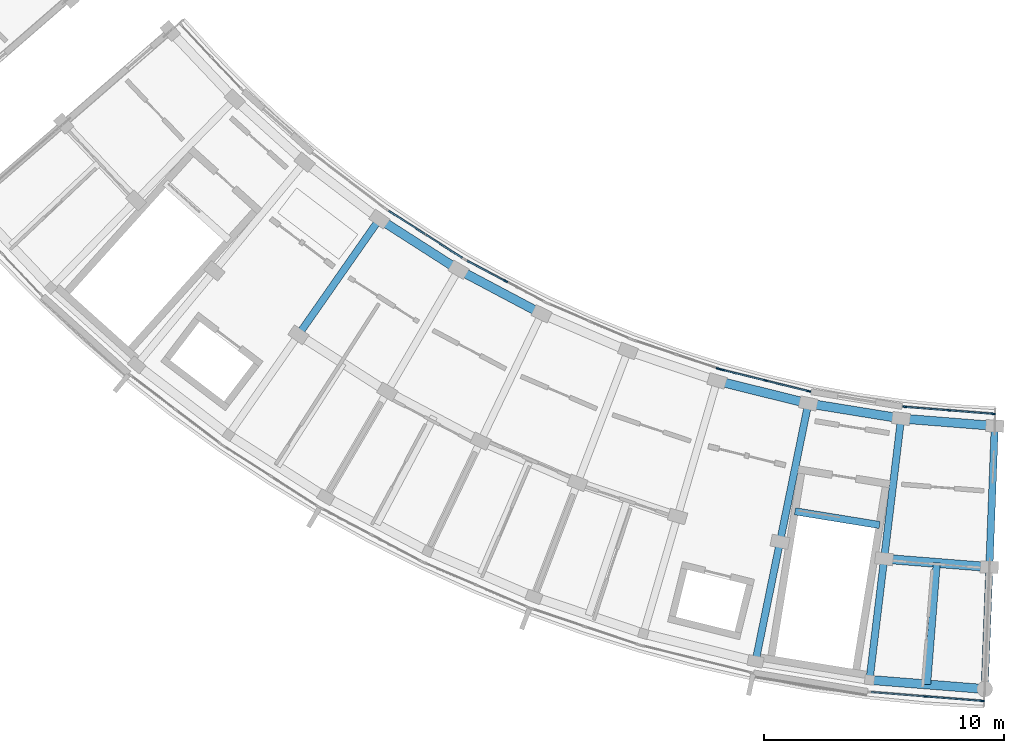
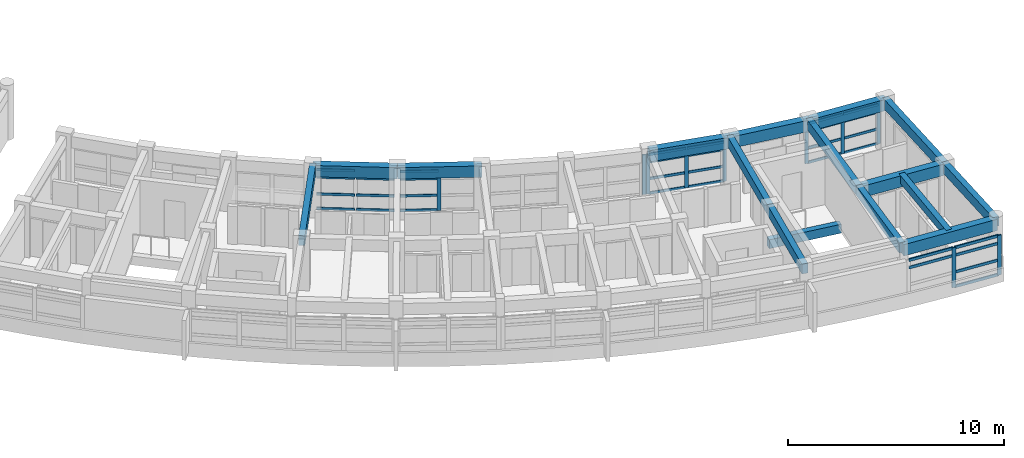
# One storey, part 11 of 38: 43 members, 16 beams, 6 elements without a shape of their own.
"""IFC4 building model written with IfcOpenShell, lengths in metres."""

from ifc_helpers import new_model, si_unit, direction, frame, origin, origin_2d, place, context, subcontext, project, spatial, rectangle, extrude, material, material_profile, profile_set, type_object, element, aggregate, save


model = new_model("IFC4")

# Units and contexts
model_context = context("Model", 3, precision=1e-05, world=origin(), true_north=direction((0.0, 1.0)))
body_context = subcontext(model_context, "Body", "Model", "MODEL_VIEW")
ifc_project = project(units=[si_unit("LENGTHUNIT", "METRE"), si_unit("AREAUNIT", "SQUARE_METRE"), si_unit("VOLUMEUNIT", "CUBIC_METRE"), si_unit("PLANEANGLEUNIT", "RADIAN"), si_unit("MASSUNIT", "GRAM", prefix="KILO")], contexts=[model_context])

# Site, building, storey
site_placement = place(None, origin())
site = spatial("IfcSite", under=ifc_project, at=site_placement, CompositionType="ELEMENT")
building_placement = place(site_placement, origin())
building = spatial("IfcBuilding", under=site, at=building_placement, Name="Zimvara Arc Housing Community", CompositionType="ELEMENT")
storey_placement = place(building_placement, frame((0.0, 0.0, 29.800048828125)))
storey = spatial("IfcBuildingStorey", under=building, at=storey_placement, Name="L09", CompositionType="ELEMENT", Elevation=29.800048828125)

# Beams
ifc_material_1 = material(Name="Concrete C40/50", Category="concrete")
ifc_material_profile_1 = material_profile(ifc_material_1, rectangle(XDim=0.300048828125, YDim=0.449951171875, at=origin_2d()), Name="RC 300x450")
ifc_profile_set_1 = profile_set([ifc_material_profile_1], Name="Concrete C40/50")
beam_type_1 = type_object("IfcBeamType", Name="BM-RC-300x450", PredefinedType="JOIST", material=ifc_profile_set_1)
beam_1_placement = place(storey_placement, frame((121.72509765625, 56.2734375, 2.695068359375), z_axis=(-0.079171686291, -0.99686099537, 0.0), x_axis=(0.99686099537, -0.079171686291, 0.0)))
element("IfcBeam", 1, at=beam_1_placement, inside=storey, type_object=beam_type_1, Name="bm:blkC:L09:joist:b9", PredefinedType="JOIST", context=body_context, shape_type="SweptSolid", body=[
    extrude(rectangle(XDim=0.300048828125, YDim=0.449951171875, at=origin_2d()), origin(), (0.0, 0.0, 1.0), 5.07568359375),
])
ifc_material_2 = material(Name="Concrete C40/50", Category="concrete")
ifc_material_profile_2 = material_profile(ifc_material_2, rectangle(XDim=0.300048828125, YDim=0.5, at=origin_2d()), Name="RC 300x500")
ifc_profile_set_2 = profile_set([ifc_material_profile_2], Name="Concrete C40/50")
beam_type_2 = type_object("IfcBeamType", Name="BM-RC-300x500", PredefinedType="BEAM", material=ifc_profile_set_2)
beam_2_placement = place(storey_placement, frame((115.822265625, 58.423095703125, -0.25), z_axis=(0.987080057935, -0.160227835371, 0.0), x_axis=(0.160227835371, 0.987080057935, 0.0)))
element("IfcBeam", 2, at=beam_2_placement, inside=storey, type_object=beam_type_2, Name="bm:stair_trim:ST-C2:L09:near", PredefinedType="BEAM", context=body_context, shape_type="SweptSolid", body=[
    extrude(rectangle(XDim=0.300048828125, YDim=0.5, at=origin_2d()), origin(), (0.0, 0.0, 1.0), 3.570068359375),
])
ifc_material_3 = material(Name="Concrete C40/50", Category="concrete")
ifc_material_profile_3 = material_profile(ifc_material_3, rectangle(XDim=0.300048828125, YDim=0.550048828125, at=origin_2d()), Name="RC 300x550")
ifc_profile_set_3 = profile_set([ifc_material_profile_3], Name="Concrete C40/50")
beam_type_3 = type_object("IfcBeamType", Name="BM-RC-300x550", PredefinedType="BEAM", material=ifc_profile_set_3)
for number, where, z_axis, x_axis, name in (
    (3, (98.521728515625, 70.587158203125, 2.64501953125), (-0.57300805165, -0.81954973781, 0.0), (0.81954973781, -0.57300805165, 0.0), "bm:blkC:L09:rad:b3:r12"),
    (4, (116.377197265625, 62.912109375, 2.64501953125), (-0.200417973989, -0.979710485655, 0.0), (0.979710485655, -0.200417973989, 0.0), "bm:blkC:L09:rad:b8:r12"),
):
    element("IfcBeam", number, at=place(storey_placement, frame(where, z_axis=z_axis, x_axis=x_axis)), inside=storey, type_object=beam_type_3, Name=name, PredefinedType="BEAM", context=body_context, shape_type="SweptSolid", body=[
        extrude(rectangle(XDim=0.300048828125, YDim=0.550048828125, at=origin_2d()), origin(), (0.0, 0.0, 1.0), 5.880126953125),
    ])
beam_3_placement = place(storey_placement, frame((115.19873046875, 57.1513671875, 2.64501953125), z_axis=(-0.200356397601, -0.979723080233, 0.0), x_axis=(0.979723080233, -0.200356397601, 0.0)))
element("IfcBeam", 5, at=beam_3_placement, inside=storey, type_object=beam_type_3, Name="bm:blkC:L09:rad:b8:r23", PredefinedType="BEAM", context=body_context, shape_type="SweptSolid", body=[
    extrude(rectangle(XDim=0.300048828125, YDim=0.550048828125, at=origin_2d()), origin(), (0.0, 0.0, 1.0), 5.080078125),
])
beam_4_placement = place(storey_placement, frame((120.23974609375, 62.28515625, 2.64501953125), z_axis=(-0.119786997154, -0.992799614884, 0.0), x_axis=(0.992799614884, -0.119786997154, 0.0)))
element("IfcBeam", 6, at=beam_4_placement, inside=storey, type_object=beam_type_3, Name="bm:blkC:L09:rad:b9:r12", PredefinedType="BEAM", context=body_context, shape_type="SweptSolid", body=[
    extrude(rectangle(XDim=0.300048828125, YDim=0.550048828125, at=origin_2d()), origin(), (0.0, 0.0, 1.0), 5.8798828125),
])
beam_5_placement = place(storey_placement, frame((119.535400390625, 56.447509765625, 2.64501953125), z_axis=(-0.119810359757, -0.992796795772, 0.0), x_axis=(0.992796795772, -0.119810359757, 0.0)))
element("IfcBeam", 7, at=beam_5_placement, inside=storey, type_object=beam_type_3, Name="bm:blkC:L09:rad:b9:r23", PredefinedType="BEAM", context=body_context, shape_type="SweptSolid", body=[
    extrude(rectangle(XDim=0.300048828125, YDim=0.550048828125, at=origin_2d()), origin(), (0.0, 0.0, 1.0), 5.080078125),
])
beam_6_placement = place(storey_placement, frame((124.140380859375, 61.975341796875, 2.64501953125), z_axis=(-0.038364555613, -0.999263809448, 0.0), x_axis=(0.999263809448, -0.038364555613, 0.0)))
element("IfcBeam", 8, at=beam_6_placement, inside=storey, type_object=beam_type_3, Name="bm:blkC:L09:rad:b10:r12", PredefinedType="BEAM", context=body_context, shape_type="SweptSolid", body=[
    extrude(rectangle(XDim=0.300048828125, YDim=0.550048828125, at=origin_2d()), origin(), (0.0, 0.0, 1.0), 5.880126953125),
])
beam_7_placement = place(storey_placement, frame((123.914794921875, 56.099609375, 2.64501953125), z_axis=(-0.038399898954, -0.999262451892, 0.0), x_axis=(0.999262451892, -0.038399898954, 0.0)))
element("IfcBeam", 9, at=beam_7_placement, inside=storey, type_object=beam_type_3, Name="bm:blkC:L09:rad:b10:r23", PredefinedType="BEAM", context=body_context, shape_type="SweptSolid", body=[
    extrude(rectangle(XDim=0.300048828125, YDim=0.550048828125, at=origin_2d()), origin(), (0.0, 0.0, 1.0), 5.079833984375),
])
ifc_material_4 = material(Name="Concrete C40/50", Category="concrete")
ifc_material_profile_4 = material_profile(ifc_material_4, rectangle(XDim=0.3798828125, YDim=0.639892578125, at=origin_2d()), Name="RC 380x640")
ifc_profile_set_4 = profile_set([ifc_material_profile_4], Name="Concrete C40/50")
beam_type_4 = type_object("IfcBeamType", Name="BM-RC-380x640", PredefinedType="BEAM", material=ifc_profile_set_4)
for number, where, z_axis, x_axis, name in (
    (10, (98.521728515625, 70.587158203125, 2.599853515625), (0.842224940184, -0.53912628403, 0.0), (0.53912628403, 0.842224940184, 0.0), "bm:blkC:L09:chord:r1:b3"),
    (11, (101.8173828125, 68.4775390625, 2.599853515625), (0.883464449706, -0.468498202884, 0.0), (0.468498202884, 0.883464449706, 0.0), "bm:blkC:L09:chord:r1:b4"),
    (12, (112.57861328125, 63.85205078125, 2.599853515625), (0.970723220586, -0.240200809773, 0.0), (0.240200809773, 0.970723220586, 0.0), "bm:blkC:L09:chord:r1:b7"),
    (13, (116.377197265625, 62.912109375, 2.599853515625), (0.987081487371, -0.160219029111, 0.0), (0.160219029111, 0.987081487371, 0.0), "bm:blkC:L09:chord:r1:b8"),
):
    element("IfcBeam", number, at=place(storey_placement, frame(where, z_axis=z_axis, x_axis=x_axis)), inside=storey, type_object=beam_type_4, Name=name, PredefinedType="BEAM", context=body_context, shape_type="SweptSolid", body=[
        extrude(rectangle(XDim=0.3798828125, YDim=0.639892578125, at=origin_2d()), origin(), (0.0, 0.0, 1.0), 3.9130859375),
    ])
beam_8_placement = place(storey_placement, frame((120.23974609375, 62.28515625, 2.599853515625), z_axis=(0.99686054795, -0.079177319606, 0.0), x_axis=(0.079177319606, 0.99686054795, 0.0)))
element("IfcBeam", 14, at=beam_8_placement, inside=storey, type_object=beam_type_4, Name="bm:blkC:L09:chord:r1:b9", PredefinedType="BEAM", context=body_context, shape_type="SweptSolid", body=[
    extrude(rectangle(XDim=0.3798828125, YDim=0.639892578125, at=origin_2d()), origin(), (0.0, 0.0, 1.0), 3.912841796875),
])
beam_9_placement = place(storey_placement, frame((119.535400390625, 56.447509765625, 2.599853515625), z_axis=(0.996859476344, -0.079190810224, 0.0), x_axis=(0.079190810224, 0.996859476344, 0.0)))
element("IfcBeam", 15, at=beam_9_placement, inside=storey, type_object=beam_type_4, Name="bm:blkC:L09:chord:r2:b9", PredefinedType="BEAM", context=body_context, shape_type="SweptSolid", body=[
    extrude(rectangle(XDim=0.3798828125, YDim=0.639892578125, at=origin_2d()), origin(), (0.0, 0.0, 1.0), 4.393310546875),
])
beam_10_placement = place(storey_placement, frame((118.9267578125, 51.404052734375, 2.599853515625), z_axis=(0.996861768207, -0.0791619548, 0.0), x_axis=(0.0791619548, 0.996861768207, 0.0)))
element("IfcBeam", 16, at=beam_10_placement, inside=storey, type_object=beam_type_4, Name="bm:blkC:L09:chord:r3:b9", PredefinedType="BEAM", context=body_context, shape_type="SweptSolid", body=[
    extrude(rectangle(XDim=0.3798828125, YDim=0.639892578125, at=origin_2d()), origin(), (0.0, 0.0, 1.0), 4.80810546875),
])

# Curtain wall, member
ifc_material_5 = material(Name="Anodised Aluminium AW-6063", Category="aluminium")
curtain_wall_type_1 = type_object("IfcCurtainWallType", Name="CW-SYS-04", PredefinedType="USERDEFINED", material=ifc_material_5)
curtain_wall_1_placement = place(storey_placement, origin())
curtain_wall_1 = element("IfcCurtainWall", 17, at=curtain_wall_1_placement, inside=storey, type_object=curtain_wall_type_1, Name="cw:blkC:L09:in:b4", ObjectType="CURTAIN WALL", PredefinedType="USERDEFINED")
ifc_material_6 = material(Name="Anodised Aluminium AW-6063", Category="aluminium")
ifc_material_profile_5 = material_profile(ifc_material_6, rectangle(XDim=0.06494140625, YDim=0.179931640625, at=origin_2d()), Name="ALU 65x180")
ifc_profile_set_5 = profile_set([ifc_material_profile_5], Name="Anodised Aluminium AW-6063")
member_type_1 = type_object("IfcMemberType", Name="CWM-65x150", PredefinedType="MULLION", material=ifc_profile_set_5)
member_1_placement = place(storey_placement, frame((103.780029296875, 68.002197265625, 0.0), z_axis=(0.0, 0.0, 1.0), x_axis=(0.468547099195, 0.883438518424, 0.0)))
member_1 = element("IfcMember", 18, at=member_1_placement, type_object=member_type_1, Name="CW04 mullion 2", PredefinedType="MULLION", context=body_context, shape_type="SweptSolid", body=[
    extrude(rectangle(XDim=0.06494140625, YDim=0.179931640625, at=origin_2d()), origin(), (0.0, 0.0, 1.0), 2.25),
])

ifc_material_7 = material(Name="Anodised Aluminium AW-6063", Category="aluminium")
curtain_wall_type_2 = type_object("IfcCurtainWallType", Name="CW-SYS-08", PredefinedType="USERDEFINED", material=ifc_material_7)
curtain_wall_2_placement = place(storey_placement, origin())
curtain_wall_2 = element("IfcCurtainWall", 19, at=curtain_wall_2_placement, inside=storey, type_object=curtain_wall_type_2, Name="cw:blkC:L09:in:b6", ObjectType="CURTAIN WALL", PredefinedType="USERDEFINED")
member_2_placement = place(storey_placement, frame((112.630859375, 64.361572265625, 0.0), z_axis=(0.0, 0.0, 1.0), x_axis=(0.318626909491, 0.94788021002, 0.0)))
member_2 = element("IfcMember", 20, at=member_2_placement, type_object=member_type_1, Name="CW08 mullion 3", PredefinedType="MULLION", context=body_context, shape_type="SweptSolid", body=[
    extrude(rectangle(XDim=0.06494140625, YDim=0.179931640625, at=origin_2d()), origin(), (0.0, 0.0, 1.0), 2.25),
])
aggregate(curtain_wall_2, [member_2])

# Curtain wall, members
ifc_material_8 = material(Name="Anodised Aluminium AW-6063", Category="aluminium")
curtain_wall_type_3 = type_object("IfcCurtainWallType", Name="CW-SYS-02", PredefinedType="USERDEFINED", material=ifc_material_8)
curtain_wall_3_placement = place(storey_placement, origin())
curtain_wall_3 = element("IfcCurtainWall", 21, at=curtain_wall_3_placement, inside=storey, type_object=curtain_wall_type_3, Name="cw:blkC:L09:in:b7", ObjectType="CURTAIN WALL", PredefinedType="USERDEFINED")
member_3_placement = place(storey_placement, frame((112.808349609375, 64.309814453125, 0.0), z_axis=(0.0, 0.0, 1.0), x_axis=(0.240229186313, 0.970716198507, 0.0)))
member_3 = element("IfcMember", 22, at=member_3_placement, type_object=member_type_1, Name="CW02 mullion 1", PredefinedType="MULLION", context=body_context, shape_type="SweptSolid", body=[
    extrude(rectangle(XDim=0.06494140625, YDim=0.179931640625, at=origin_2d()), origin(), (0.0, 0.0, 1.0), 2.25),
])
member_4_placement = place(storey_placement, frame((114.597900390625, 63.866943359375, 0.0), z_axis=(0.0, 0.0, 1.0), x_axis=(0.240229186313, 0.970716198507, 0.0)))
member_4 = element("IfcMember", 23, at=member_4_placement, type_object=member_type_1, Name="CW02 mullion 2", PredefinedType="MULLION", context=body_context, shape_type="SweptSolid", body=[
    extrude(rectangle(XDim=0.06494140625, YDim=0.179931640625, at=origin_2d()), origin(), (0.0, 0.0, 1.0), 2.25),
])
member_5_placement = place(storey_placement, frame((116.387451171875, 63.424072265625, 0.0), z_axis=(0.0, 0.0, 1.0), x_axis=(0.240229186313, 0.970716198507, 0.0)))
member_5 = element("IfcMember", 24, at=member_5_placement, type_object=member_type_1, Name="CW02 mullion 3", PredefinedType="MULLION", context=body_context, shape_type="SweptSolid", body=[
    extrude(rectangle(XDim=0.06494140625, YDim=0.179931640625, at=origin_2d()), origin(), (0.0, 0.0, 1.0), 2.25),
])

curtain_wall_4_placement = place(storey_placement, origin())
curtain_wall_4 = element("IfcCurtainWall", 25, at=curtain_wall_4_placement, inside=storey, type_object=curtain_wall_type_1, Name="cw:blkC:L09:in:b9", ObjectType="CURTAIN WALL", PredefinedType="USERDEFINED")
member_6_placement = place(storey_placement, frame((120.391845703125, 62.774169921875, 0.0), z_axis=(0.0, 0.0, 1.0), x_axis=(0.079155101851, 0.996862312384, 0.0)))
member_6 = element("IfcMember", 26, at=member_6_placement, type_object=member_type_1, Name="CW04 mullion 1", PredefinedType="MULLION", context=body_context, shape_type="SweptSolid", body=[
    extrude(rectangle(XDim=0.06494140625, YDim=0.179931640625, at=origin_2d()), origin(), (0.0, 0.0, 1.0), 2.25),
])
member_7_placement = place(storey_placement, frame((122.2294921875, 62.628173828125, 0.0), z_axis=(0.0, 0.0, 1.0), x_axis=(0.079155101851, 0.996862312384, 0.0)))
member_7 = element("IfcMember", 27, at=member_7_placement, type_object=member_type_1, Name="CW04 mullion 2", PredefinedType="MULLION", context=body_context, shape_type="SweptSolid", body=[
    extrude(rectangle(XDim=0.06494140625, YDim=0.179931640625, at=origin_2d()), origin(), (0.0, 0.0, 1.0), 2.25),
])
member_8_placement = place(storey_placement, frame((124.0673828125, 62.482177734375, 0.0), z_axis=(0.0, 0.0, 1.0), x_axis=(0.079155101851, 0.996862312384, 0.0)))
member_8 = element("IfcMember", 28, at=member_8_placement, type_object=member_type_1, Name="CW04 mullion 3", PredefinedType="MULLION", context=body_context, shape_type="SweptSolid", body=[
    extrude(rectangle(XDim=0.06494140625, YDim=0.179931640625, at=origin_2d()), origin(), (0.0, 0.0, 1.0), 2.25),
])

ifc_material_9 = material(Name="Anodised Aluminium AW-6063", Category="aluminium")
curtain_wall_type_4 = type_object("IfcCurtainWallType", Name="CW-SYS-03", PredefinedType="USERDEFINED", material=ifc_material_9)
curtain_wall_5_placement = place(storey_placement, origin())
curtain_wall_5 = element("IfcCurtainWall", 29, at=curtain_wall_5_placement, inside=storey, type_object=curtain_wall_type_4, Name="cw:blkC:L09:out:b9", ObjectType="CURTAIN WALL", PredefinedType="USERDEFINED")
ifc_material_10 = material(Name="Anodised Aluminium AW-6063", Category="aluminium")
ifc_material_profile_6 = material_profile(ifc_material_10, rectangle(XDim=0.06494140625, YDim=0.195068359375, at=origin_2d()), Name="ALU 65x195")
ifc_profile_set_6 = profile_set([ifc_material_profile_6], Name="Anodised Aluminium AW-6063")
member_type_2 = type_object("IfcMemberType", Name="CWM-65x180", PredefinedType="MULLION", material=ifc_profile_set_6)
member_9_placement = place(storey_placement, frame((121.28369140625, 50.715576171875, 0.0), z_axis=(0.0, 0.0, 1.0), x_axis=(0.079153759607, 0.996862418963, 0.0)))
member_9 = element("IfcMember", 30, at=member_9_placement, type_object=member_type_2, Name="CW03 mullion 2", PredefinedType="MULLION", context=body_context, shape_type="SweptSolid", body=[
    extrude(rectangle(XDim=0.06494140625, YDim=0.195068359375, at=origin_2d()), origin(), (0.0, 0.0, 1.0), 2.25),
])
member_10_placement = place(storey_placement, frame((123.6083984375, 50.531005859375, 0.0), z_axis=(0.0, 0.0, 1.0), x_axis=(0.079153759607, 0.996862418963, 0.0)))
member_10 = element("IfcMember", 31, at=member_10_placement, type_object=member_type_2, Name="CW03 mullion 3", PredefinedType="MULLION", context=body_context, shape_type="SweptSolid", body=[
    extrude(rectangle(XDim=0.06494140625, YDim=0.195068359375, at=origin_2d()), origin(), (0.0, 0.0, 1.0), 2.25),
])

curtain_wall_6_placement = place(storey_placement, origin())
curtain_wall_6 = element("IfcCurtainWall", 32, at=curtain_wall_6_placement, inside=storey, type_object=curtain_wall_type_3, Name="cw:blkC:L09:in:b3", ObjectType="CURTAIN WALL", PredefinedType="USERDEFINED")
ifc_material_11 = material(Name="Anodised Aluminium AW-6063", Category="aluminium")
ifc_material_profile_7 = material_profile(ifc_material_11, rectangle(XDim=0.06494140625, YDim=0.139892578125, at=origin_2d()), Name="ALU 65x140")
ifc_profile_set_7 = profile_set([ifc_material_profile_7], Name="Anodised Aluminium AW-6063")
member_type_3 = type_object("IfcMemberType", Name="CWT-65x120", PredefinedType="USERDEFINED", material=ifc_profile_set_7)
member_11_placement = place(storey_placement, frame((98.913330078125, 70.929443359375, 0.032470703125), z_axis=(0.842273893594, -0.539049801197, 0.0), x_axis=(0.539049801197, 0.842273893594, 0.0)))
member_11 = element("IfcMember", 33, at=member_11_placement, type_object=member_type_3, Name="CW02 transom 1.1", ObjectType="TRANSOM", PredefinedType="USERDEFINED", context=body_context, shape_type="SweptSolid", body=[
    extrude(rectangle(XDim=0.06494140625, YDim=0.139892578125, at=origin_2d()), origin(), (0.0, 0.0, 1.0), 1.778564453125),
])
member_12_placement = place(storey_placement, frame((98.913330078125, 70.929443359375, 0.849853515625), z_axis=(0.842273893594, -0.539049801197, 0.0), x_axis=(0.539049801197, 0.842273893594, 0.0)))
member_12 = element("IfcMember", 34, at=member_12_placement, type_object=member_type_3, Name="CW02 transom 1.2", ObjectType="TRANSOM", PredefinedType="USERDEFINED", context=body_context, shape_type="SweptSolid", body=[
    extrude(rectangle(XDim=0.06494140625, YDim=0.139892578125, at=origin_2d()), origin(), (0.0, 0.0, 1.0), 1.778564453125),
])
member_13_placement = place(storey_placement, frame((98.913330078125, 70.929443359375, 1.800048828125), z_axis=(0.842273893594, -0.539049801197, 0.0), x_axis=(0.539049801197, 0.842273893594, 0.0)))
member_13 = element("IfcMember", 35, at=member_13_placement, type_object=member_type_3, Name="CW02 transom 1.3", ObjectType="TRANSOM", PredefinedType="USERDEFINED", context=body_context, shape_type="SweptSolid", body=[
    extrude(rectangle(XDim=0.06494140625, YDim=0.139892578125, at=origin_2d()), origin(), (0.0, 0.0, 1.0), 1.778564453125),
])
member_14_placement = place(storey_placement, frame((98.913330078125, 70.929443359375, 2.217529296875), z_axis=(0.842273893594, -0.539049801197, 0.0), x_axis=(0.539049801197, 0.842273893594, 0.0)))
member_14 = element("IfcMember", 36, at=member_14_placement, type_object=member_type_3, Name="CW02 transom 1.4", ObjectType="TRANSOM", PredefinedType="USERDEFINED", context=body_context, shape_type="SweptSolid", body=[
    extrude(rectangle(XDim=0.06494140625, YDim=0.139892578125, at=origin_2d()), origin(), (0.0, 0.0, 1.0), 1.778564453125),
])
member_15_placement = place(storey_placement, frame((100.46630859375, 69.935546875, 0.032470703125), z_axis=(0.842273893594, -0.539049801197, 0.0), x_axis=(0.539049801197, 0.842273893594, 0.0)))
member_15 = element("IfcMember", 37, at=member_15_placement, type_object=member_type_3, Name="CW02 transom 2.1", ObjectType="TRANSOM", PredefinedType="USERDEFINED", context=body_context, shape_type="SweptSolid", body=[
    extrude(rectangle(XDim=0.06494140625, YDim=0.139892578125, at=origin_2d()), origin(), (0.0, 0.0, 1.0), 1.778564453125),
])
member_16_placement = place(storey_placement, frame((100.46630859375, 69.935546875, 0.849853515625), z_axis=(0.842273893594, -0.539049801197, 0.0), x_axis=(0.539049801197, 0.842273893594, 0.0)))
member_16 = element("IfcMember", 38, at=member_16_placement, type_object=member_type_3, Name="CW02 transom 2.2", ObjectType="TRANSOM", PredefinedType="USERDEFINED", context=body_context, shape_type="SweptSolid", body=[
    extrude(rectangle(XDim=0.06494140625, YDim=0.139892578125, at=origin_2d()), origin(), (0.0, 0.0, 1.0), 1.778564453125),
])
member_17_placement = place(storey_placement, frame((100.46630859375, 69.935546875, 1.800048828125), z_axis=(0.842273893594, -0.539049801197, 0.0), x_axis=(0.539049801197, 0.842273893594, 0.0)))
member_17 = element("IfcMember", 39, at=member_17_placement, type_object=member_type_3, Name="CW02 transom 2.3", ObjectType="TRANSOM", PredefinedType="USERDEFINED", context=body_context, shape_type="SweptSolid", body=[
    extrude(rectangle(XDim=0.06494140625, YDim=0.139892578125, at=origin_2d()), origin(), (0.0, 0.0, 1.0), 1.778564453125),
])
aggregate(curtain_wall_6, [member_11, member_12, member_13, member_14, member_15, member_16, member_17])

# Member
member_18_placement = place(storey_placement, frame((102.179931640625, 68.850830078125, 0.032470703125), z_axis=(0.883463823767, -0.468499383238, 0.0), x_axis=(0.468499383238, 0.883463823767, 0.0)))
member_18 = element("IfcMember", 40, at=member_18_placement, type_object=member_type_3, Name="CW04 transom 1.1", ObjectType="TRANSOM", PredefinedType="USERDEFINED", context=body_context, shape_type="SweptSolid", body=[
    extrude(rectangle(XDim=0.06494140625, YDim=0.139892578125, at=origin_2d()), origin(), (0.0, 0.0, 1.0), 1.778564453125),
])

member_19_placement = place(storey_placement, frame((102.179931640625, 68.850830078125, 0.849853515625), z_axis=(0.883463823767, -0.468499383238, 0.0), x_axis=(0.468499383238, 0.883463823767, 0.0)))
member_19 = element("IfcMember", 41, at=member_19_placement, type_object=member_type_3, Name="CW04 transom 1.2", ObjectType="TRANSOM", PredefinedType="USERDEFINED", context=body_context, shape_type="SweptSolid", body=[
    extrude(rectangle(XDim=0.06494140625, YDim=0.139892578125, at=origin_2d()), origin(), (0.0, 0.0, 1.0), 1.778564453125),
])

member_20_placement = place(storey_placement, frame((102.179931640625, 68.850830078125, 1.800048828125), z_axis=(0.883463823767, -0.468499383238, 0.0), x_axis=(0.468499383238, 0.883463823767, 0.0)))
member_20 = element("IfcMember", 42, at=member_20_placement, type_object=member_type_3, Name="CW04 transom 1.3", ObjectType="TRANSOM", PredefinedType="USERDEFINED", context=body_context, shape_type="SweptSolid", body=[
    extrude(rectangle(XDim=0.06494140625, YDim=0.139892578125, at=origin_2d()), origin(), (0.0, 0.0, 1.0), 1.778564453125),
])

member_21_placement = place(storey_placement, frame((102.179931640625, 68.850830078125, 2.217529296875), z_axis=(0.883463823767, -0.468499383238, 0.0), x_axis=(0.468499383238, 0.883463823767, 0.0)))
member_21 = element("IfcMember", 43, at=member_21_placement, type_object=member_type_3, Name="CW04 transom 1.4", ObjectType="TRANSOM", PredefinedType="USERDEFINED", context=body_context, shape_type="SweptSolid", body=[
    extrude(rectangle(XDim=0.06494140625, YDim=0.139892578125, at=origin_2d()), origin(), (0.0, 0.0, 1.0), 1.778564453125),
])

aggregate(curtain_wall_1, [member_1, member_18, member_19, member_20, member_21])

member_22_placement = place(storey_placement, frame((112.83984375, 64.302001953125, 0.032470703125), z_axis=(0.970721060666, -0.240209538485, 0.0), x_axis=(0.240209538485, 0.970721060666, 0.0)))
member_22 = element("IfcMember", 44, at=member_22_placement, type_object=member_type_3, Name="CW02 transom 1.1", ObjectType="TRANSOM", PredefinedType="USERDEFINED", context=body_context, shape_type="SweptSolid", body=[
    extrude(rectangle(XDim=0.06494140625, YDim=0.139892578125, at=origin_2d()), origin(), (0.0, 0.0, 1.0), 1.778564453125),
])

member_23_placement = place(storey_placement, frame((112.83984375, 64.302001953125, 0.849853515625), z_axis=(0.970721060666, -0.240209538485, 0.0), x_axis=(0.240209538485, 0.970721060666, 0.0)))
member_23 = element("IfcMember", 45, at=member_23_placement, type_object=member_type_3, Name="CW02 transom 1.2", ObjectType="TRANSOM", PredefinedType="USERDEFINED", context=body_context, shape_type="SweptSolid", body=[
    extrude(rectangle(XDim=0.06494140625, YDim=0.139892578125, at=origin_2d()), origin(), (0.0, 0.0, 1.0), 1.778564453125),
])

member_24_placement = place(storey_placement, frame((112.83984375, 64.302001953125, 1.800048828125), z_axis=(0.970721060666, -0.240209538485, 0.0), x_axis=(0.240209538485, 0.970721060666, 0.0)))
member_24 = element("IfcMember", 46, at=member_24_placement, type_object=member_type_3, Name="CW02 transom 1.3", ObjectType="TRANSOM", PredefinedType="USERDEFINED", context=body_context, shape_type="SweptSolid", body=[
    extrude(rectangle(XDim=0.06494140625, YDim=0.139892578125, at=origin_2d()), origin(), (0.0, 0.0, 1.0), 1.778564453125),
])

member_25_placement = place(storey_placement, frame((112.83984375, 64.302001953125, 2.217529296875), z_axis=(0.970721060666, -0.240209538485, 0.0), x_axis=(0.240209538485, 0.970721060666, 0.0)))
member_25 = element("IfcMember", 47, at=member_25_placement, type_object=member_type_3, Name="CW02 transom 1.4", ObjectType="TRANSOM", PredefinedType="USERDEFINED", context=body_context, shape_type="SweptSolid", body=[
    extrude(rectangle(XDim=0.06494140625, YDim=0.139892578125, at=origin_2d()), origin(), (0.0, 0.0, 1.0), 1.778564453125),
])

member_26_placement = place(storey_placement, frame((114.62939453125, 63.859130859375, 0.032470703125), z_axis=(0.970721060666, -0.240209538485, 0.0), x_axis=(0.240209538485, 0.970721060666, 0.0)))
member_26 = element("IfcMember", 48, at=member_26_placement, type_object=member_type_3, Name="CW02 transom 2.1", ObjectType="TRANSOM", PredefinedType="USERDEFINED", context=body_context, shape_type="SweptSolid", body=[
    extrude(rectangle(XDim=0.06494140625, YDim=0.139892578125, at=origin_2d()), origin(), (0.0, 0.0, 1.0), 1.778564453125),
])

member_27_placement = place(storey_placement, frame((114.62939453125, 63.859130859375, 0.849853515625), z_axis=(0.970721060666, -0.240209538485, 0.0), x_axis=(0.240209538485, 0.970721060666, 0.0)))
member_27 = element("IfcMember", 49, at=member_27_placement, type_object=member_type_3, Name="CW02 transom 2.2", ObjectType="TRANSOM", PredefinedType="USERDEFINED", context=body_context, shape_type="SweptSolid", body=[
    extrude(rectangle(XDim=0.06494140625, YDim=0.139892578125, at=origin_2d()), origin(), (0.0, 0.0, 1.0), 1.778564453125),
])

member_28_placement = place(storey_placement, frame((114.62939453125, 63.859130859375, 1.800048828125), z_axis=(0.970721060666, -0.240209538485, 0.0), x_axis=(0.240209538485, 0.970721060666, 0.0)))
member_28 = element("IfcMember", 50, at=member_28_placement, type_object=member_type_3, Name="CW02 transom 2.3", ObjectType="TRANSOM", PredefinedType="USERDEFINED", context=body_context, shape_type="SweptSolid", body=[
    extrude(rectangle(XDim=0.06494140625, YDim=0.139892578125, at=origin_2d()), origin(), (0.0, 0.0, 1.0), 1.778564453125),
])

member_29_placement = place(storey_placement, frame((114.62939453125, 63.859130859375, 2.217529296875), z_axis=(0.970721060666, -0.240209538485, 0.0), x_axis=(0.240209538485, 0.970721060666, 0.0)))
member_29 = element("IfcMember", 51, at=member_29_placement, type_object=member_type_3, Name="CW02 transom 2.4", ObjectType="TRANSOM", PredefinedType="USERDEFINED", context=body_context, shape_type="SweptSolid", body=[
    extrude(rectangle(XDim=0.06494140625, YDim=0.139892578125, at=origin_2d()), origin(), (0.0, 0.0, 1.0), 1.778564453125),
])

aggregate(curtain_wall_3, [member_3, member_4, member_5, member_22, member_23, member_24, member_25, member_26, member_27, member_28, member_29])

member_30_placement = place(storey_placement, frame((120.424072265625, 62.771484375, 0.032470703125), z_axis=(0.996870030117, -0.079057846255, 0.0), x_axis=(0.079057846255, 0.996870030117, 0.0)))
member_30 = element("IfcMember", 52, at=member_30_placement, type_object=member_type_3, Name="CW04 transom 1.1", ObjectType="TRANSOM", PredefinedType="USERDEFINED", context=body_context, shape_type="SweptSolid", body=[
    extrude(rectangle(XDim=0.06494140625, YDim=0.139892578125, at=origin_2d()), origin(), (0.0, 0.0, 1.0), 1.77880859375),
])

member_31_placement = place(storey_placement, frame((120.424072265625, 62.771484375, 0.849853515625), z_axis=(0.996870030117, -0.079057846255, 0.0), x_axis=(0.079057846255, 0.996870030117, 0.0)))
member_31 = element("IfcMember", 53, at=member_31_placement, type_object=member_type_3, Name="CW04 transom 1.2", ObjectType="TRANSOM", PredefinedType="USERDEFINED", context=body_context, shape_type="SweptSolid", body=[
    extrude(rectangle(XDim=0.06494140625, YDim=0.139892578125, at=origin_2d()), origin(), (0.0, 0.0, 1.0), 1.77880859375),
])

member_32_placement = place(storey_placement, frame((120.424072265625, 62.771484375, 1.800048828125), z_axis=(0.996870030117, -0.079057846255, 0.0), x_axis=(0.079057846255, 0.996870030117, 0.0)))
member_32 = element("IfcMember", 54, at=member_32_placement, type_object=member_type_3, Name="CW04 transom 1.3", ObjectType="TRANSOM", PredefinedType="USERDEFINED", context=body_context, shape_type="SweptSolid", body=[
    extrude(rectangle(XDim=0.06494140625, YDim=0.139892578125, at=origin_2d()), origin(), (0.0, 0.0, 1.0), 1.77880859375),
])

member_33_placement = place(storey_placement, frame((120.424072265625, 62.771484375, 2.217529296875), z_axis=(0.996870030117, -0.079057846255, 0.0), x_axis=(0.079057846255, 0.996870030117, 0.0)))
member_33 = element("IfcMember", 55, at=member_33_placement, type_object=member_type_3, Name="CW04 transom 1.4", ObjectType="TRANSOM", PredefinedType="USERDEFINED", context=body_context, shape_type="SweptSolid", body=[
    extrude(rectangle(XDim=0.06494140625, YDim=0.139892578125, at=origin_2d()), origin(), (0.0, 0.0, 1.0), 1.77880859375),
])

member_34_placement = place(storey_placement, frame((122.261962890625, 62.625732421875, 0.032470703125), z_axis=(0.996859203924, -0.079194239386, 0.0), x_axis=(0.079194239386, 0.996859203924, 0.0)))
member_34 = element("IfcMember", 56, at=member_34_placement, type_object=member_type_3, Name="CW04 transom 2.1", ObjectType="TRANSOM", PredefinedType="USERDEFINED", context=body_context, shape_type="SweptSolid", body=[
    extrude(rectangle(XDim=0.06494140625, YDim=0.139892578125, at=origin_2d()), origin(), (0.0, 0.0, 1.0), 1.77880859375),
])

member_35_placement = place(storey_placement, frame((122.261962890625, 62.625732421875, 0.849853515625), z_axis=(0.996859203924, -0.079194239386, 0.0), x_axis=(0.079194239386, 0.996859203924, 0.0)))
member_35 = element("IfcMember", 57, at=member_35_placement, type_object=member_type_3, Name="CW04 transom 2.2", ObjectType="TRANSOM", PredefinedType="USERDEFINED", context=body_context, shape_type="SweptSolid", body=[
    extrude(rectangle(XDim=0.06494140625, YDim=0.139892578125, at=origin_2d()), origin(), (0.0, 0.0, 1.0), 1.77880859375),
])

member_36_placement = place(storey_placement, frame((122.261962890625, 62.625732421875, 1.800048828125), z_axis=(0.996859203924, -0.079194239386, 0.0), x_axis=(0.079194239386, 0.996859203924, 0.0)))
member_36 = element("IfcMember", 58, at=member_36_placement, type_object=member_type_3, Name="CW04 transom 2.3", ObjectType="TRANSOM", PredefinedType="USERDEFINED", context=body_context, shape_type="SweptSolid", body=[
    extrude(rectangle(XDim=0.06494140625, YDim=0.139892578125, at=origin_2d()), origin(), (0.0, 0.0, 1.0), 1.77880859375),
])

member_37_placement = place(storey_placement, frame((122.261962890625, 62.625732421875, 2.217529296875), z_axis=(0.996859203924, -0.079194239386, 0.0), x_axis=(0.079194239386, 0.996859203924, 0.0)))
member_37 = element("IfcMember", 59, at=member_37_placement, type_object=member_type_3, Name="CW04 transom 2.4", ObjectType="TRANSOM", PredefinedType="USERDEFINED", context=body_context, shape_type="SweptSolid", body=[
    extrude(rectangle(XDim=0.06494140625, YDim=0.139892578125, at=origin_2d()), origin(), (0.0, 0.0, 1.0), 1.77880859375),
])

aggregate(curtain_wall_4, [member_6, member_7, member_8, member_30, member_31, member_32, member_33, member_34, member_35, member_36, member_37])

ifc_material_12 = material(Name="Anodised Aluminium AW-6063", Category="aluminium")
ifc_material_profile_8 = material_profile(ifc_material_12, rectangle(XDim=0.06494140625, YDim=0.155029296875, at=origin_2d()), Name="ALU 65x155")
ifc_profile_set_8 = profile_set([ifc_material_profile_8], Name="Anodised Aluminium AW-6063")
member_type_4 = type_object("IfcMemberType", Name="CWT-65x140", PredefinedType="USERDEFINED", material=ifc_profile_set_8)
member_38_placement = place(storey_placement, frame((118.991455078125, 50.897705078125, 1.800048828125), z_axis=(0.996862021022, -0.079158771116, 0.0), x_axis=(0.079158771116, 0.996862021022, 0.0)))
member_38 = element("IfcMember", 60, at=member_38_placement, type_object=member_type_4, Name="CW03 transom 1.3", ObjectType="TRANSOM", PredefinedType="USERDEFINED", context=body_context, shape_type="SweptSolid", body=[
    extrude(rectangle(XDim=0.06494140625, YDim=0.155029296875, at=origin_2d()), origin(), (0.0, 0.0, 1.0), 2.266845703125),
])

member_39_placement = place(storey_placement, frame((118.991455078125, 50.897705078125, 2.217529296875), z_axis=(0.996862021022, -0.079158771116, 0.0), x_axis=(0.079158771116, 0.996862021022, 0.0)))
member_39 = element("IfcMember", 61, at=member_39_placement, type_object=member_type_4, Name="CW03 transom 1.4", ObjectType="TRANSOM", PredefinedType="USERDEFINED", context=body_context, shape_type="SweptSolid", body=[
    extrude(rectangle(XDim=0.06494140625, YDim=0.155029296875, at=origin_2d()), origin(), (0.0, 0.0, 1.0), 2.266845703125),
])

member_40_placement = place(storey_placement, frame((121.316162109375, 50.713134765625, 0.032470703125), z_axis=(0.996862021022, -0.079158771116, 0.0), x_axis=(0.079158771116, 0.996862021022, 0.0)))
member_40 = element("IfcMember", 62, at=member_40_placement, type_object=member_type_4, Name="CW03 transom 2.1", ObjectType="TRANSOM", PredefinedType="USERDEFINED", context=body_context, shape_type="SweptSolid", body=[
    extrude(rectangle(XDim=0.06494140625, YDim=0.155029296875, at=origin_2d()), origin(), (0.0, 0.0, 1.0), 2.266845703125),
])

member_41_placement = place(storey_placement, frame((121.316162109375, 50.713134765625, 0.849853515625), z_axis=(0.996862021022, -0.079158771116, 0.0), x_axis=(0.079158771116, 0.996862021022, 0.0)))
member_41 = element("IfcMember", 63, at=member_41_placement, type_object=member_type_4, Name="CW03 transom 2.2", ObjectType="TRANSOM", PredefinedType="USERDEFINED", context=body_context, shape_type="SweptSolid", body=[
    extrude(rectangle(XDim=0.06494140625, YDim=0.155029296875, at=origin_2d()), origin(), (0.0, 0.0, 1.0), 2.266845703125),
])

member_42_placement = place(storey_placement, frame((121.316162109375, 50.713134765625, 1.800048828125), z_axis=(0.996862021022, -0.079158771116, 0.0), x_axis=(0.079158771116, 0.996862021022, 0.0)))
member_42 = element("IfcMember", 64, at=member_42_placement, type_object=member_type_4, Name="CW03 transom 2.3", ObjectType="TRANSOM", PredefinedType="USERDEFINED", context=body_context, shape_type="SweptSolid", body=[
    extrude(rectangle(XDim=0.06494140625, YDim=0.155029296875, at=origin_2d()), origin(), (0.0, 0.0, 1.0), 2.266845703125),
])

member_43_placement = place(storey_placement, frame((121.316162109375, 50.713134765625, 2.217529296875), z_axis=(0.996862021022, -0.079158771116, 0.0), x_axis=(0.079158771116, 0.996862021022, 0.0)))
member_43 = element("IfcMember", 65, at=member_43_placement, type_object=member_type_4, Name="CW03 transom 2.4", ObjectType="TRANSOM", PredefinedType="USERDEFINED", context=body_context, shape_type="SweptSolid", body=[
    extrude(rectangle(XDim=0.06494140625, YDim=0.155029296875, at=origin_2d()), origin(), (0.0, 0.0, 1.0), 2.266845703125),
])

aggregate(curtain_wall_5, [member_9, member_10, member_38, member_39, member_40, member_41, member_42, member_43])

save(model, "model.ifc")
